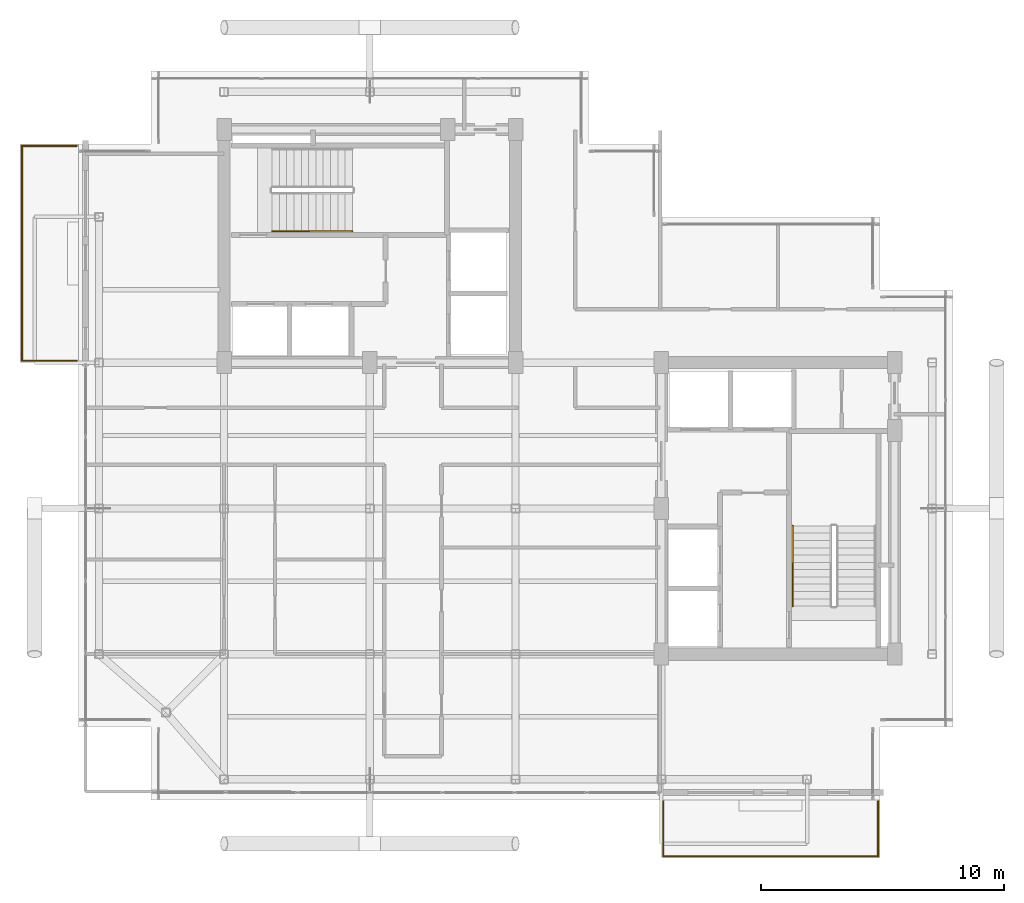
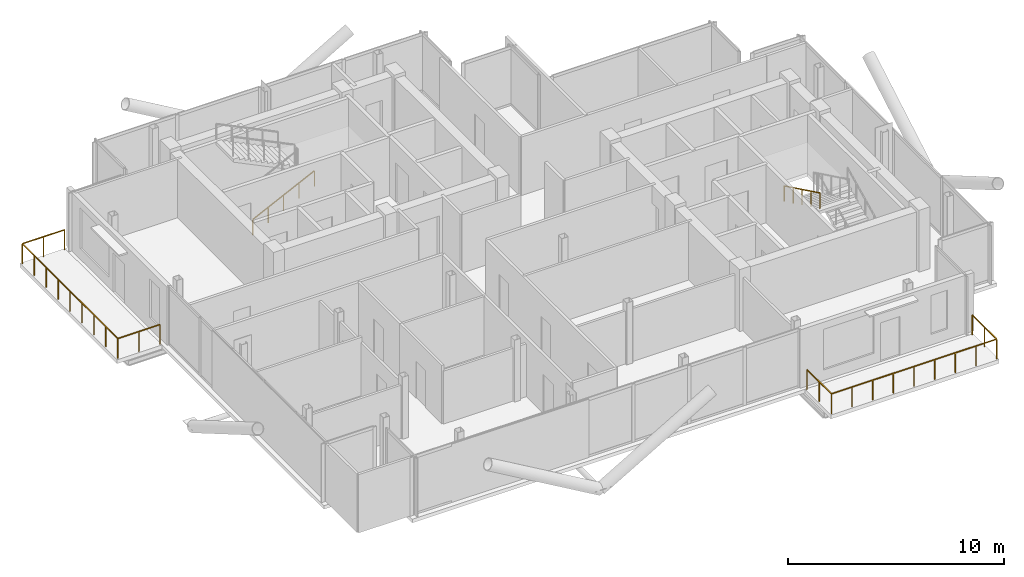
# One storey, part 17 of 18: 4 railings.
"""IFC4 building model written with IfcOpenShell, lengths in metres."""

from ifc_helpers import new_model, si_unit, direction, frame, origin, origin_2d, place, context, subcontext, project, spatial, rectangle, extrude, material, type_object, element, save


model = new_model("IFC4")

# Units and contexts
model_context = context("Model", 3, precision=1e-05, world=origin(), true_north=direction((0.0, 1.0)))
body_context = subcontext(model_context, "Body", "Model", "MODEL_VIEW")
ifc_project = project(units=[si_unit("LENGTHUNIT", "METRE"), si_unit("AREAUNIT", "SQUARE_METRE"), si_unit("VOLUMEUNIT", "CUBIC_METRE"), si_unit("PLANEANGLEUNIT", "RADIAN"), si_unit("MASSUNIT", "GRAM", prefix="KILO"), si_unit("THERMODYNAMICTEMPERATUREUNIT", "KELVIN"), si_unit("POWERUNIT", "WATT")], contexts=[model_context])

# Site, building, storey
site_placement = place(None, origin())
site = spatial("IfcSite", under=ifc_project, at=site_placement, CompositionType="ELEMENT")
building_placement = place(site_placement, origin())
building = spatial("IfcBuilding", under=site, at=building_placement, Name="Svarakhadi Broadcast Tower", CompositionType="ELEMENT")
storey_placement = place(building_placement, frame((0.0, 0.0, 260.699951171875)))
storey = spatial("IfcBuildingStorey", under=building, at=storey_placement, Name="L65", CompositionType="ELEMENT", Elevation=260.699951171875)

# Railings
ifc_material_1 = material(Name="Laminated Structural SentryGlas Balustrade 25.5 mm", Category="glass")
railing_type_1 = type_object("IfcRailingType", Name="Guard_Balcony_GR01", PredefinedType="BALUSTRADE", material=ifc_material_1)
railing_1_placement = place(storey_placement, frame((24.080078125, -0.06005859375, 0.0)))
element("IfcRailing", 1, at=railing_1_placement, inside=storey, type_object=railing_type_1, Name="L65 South Tree Balcony Guard GR-05", PredefinedType="BALUSTRADE", context=body_context, shape_type="SweptSolid", body=[
    extrude(rectangle(XDim=0.048095703125, YDim=0.048095703125, at=origin_2d()), frame((0.0, 0.0, 1.1259765625), z_axis=(0.0, -1.0, 0.0), x_axis=(1.0, 0.0, 0.0)), (0.0, 0.0, 1.0), 2.260009765625),
    extrude(rectangle(XDim=0.048095703125, YDim=0.048095703125, at=origin_2d()), frame((0.0, -2.260009765625, 1.1259765625), z_axis=(1.0, 0.0, 0.0), x_axis=(0.0, 1.0, 0.0)), (0.0, 0.0, 1.0), 8.83984375),
    extrude(rectangle(XDim=0.048095703125, YDim=0.048095703125, at=origin_2d()), frame((8.83984375, -2.260009765625, 1.1259765625), z_axis=(0.0, 1.0, 0.0), x_axis=(-1.0, 0.0, 0.0)), (0.0, 0.0, 1.0), 2.260009765625),
    extrude(rectangle(XDim=0.0419921875, YDim=0.0419921875, at=origin_2d()), origin(), (0.0, 0.0, 1.0), 1.101806640625),
    extrude(rectangle(XDim=0.0419921875, YDim=0.0419921875, at=origin_2d()), frame((0.0, -1.1298828125, 0.0)), (0.0, 0.0, 1.0), 1.101806640625),
    extrude(rectangle(XDim=0.0419921875, YDim=0.0419921875, at=origin_2d()), frame((0.0, -2.260009765625, 0.0)), (0.0, 0.0, 1.0), 1.101806640625),
    extrude(rectangle(XDim=0.0419921875, YDim=0.0419921875, at=origin_2d()), frame((1.10498046875, -2.260009765625, 0.0)), (0.0, 0.0, 1.0), 1.101806640625),
    extrude(rectangle(XDim=0.0419921875, YDim=0.0419921875, at=origin_2d()), frame((2.2099609375, -2.260009765625, 0.0)), (0.0, 0.0, 1.0), 1.101806640625),
    extrude(rectangle(XDim=0.0419921875, YDim=0.0419921875, at=origin_2d()), frame((3.31494140625, -2.260009765625, 0.0)), (0.0, 0.0, 1.0), 1.101806640625),
    extrude(rectangle(XDim=0.0419921875, YDim=0.0419921875, at=origin_2d()), frame((4.419921875, -2.260009765625, 0.0)), (0.0, 0.0, 1.0), 1.101806640625),
    extrude(rectangle(XDim=0.0419921875, YDim=0.0419921875, at=origin_2d()), frame((5.52490234375, -2.260009765625, 0.0)), (0.0, 0.0, 1.0), 1.101806640625),
    extrude(rectangle(XDim=0.0419921875, YDim=0.0419921875, at=origin_2d()), frame((6.6298828125, -2.260009765625, 0.0)), (0.0, 0.0, 1.0), 1.101806640625),
    extrude(rectangle(XDim=0.0419921875, YDim=0.0419921875, at=origin_2d()), frame((7.73486328125, -2.260009765625, 0.0)), (0.0, 0.0, 1.0), 1.101806640625),
    extrude(rectangle(XDim=0.0419921875, YDim=0.0419921875, at=origin_2d()), frame((8.83984375, -2.260009765625, 0.0)), (0.0, 0.0, 1.0), 1.101806640625),
    extrude(rectangle(XDim=0.0419921875, YDim=0.0419921875, at=origin_2d()), frame((8.83984375, -1.1298828125, 0.0)), (0.0, 0.0, 1.0), 1.101806640625),
    extrude(rectangle(XDim=0.0419921875, YDim=0.0419921875, at=origin_2d()), frame((8.83984375, 0.0, 0.0)), (0.0, 0.0, 1.0), 1.101806640625),
])
railing_2_placement = place(storey_placement, frame((-0.06005859375, 18.080078125, 0.0)))
element("IfcRailing", 2, at=railing_2_placement, inside=storey, type_object=railing_type_1, Name="L65 West Tree Balcony Guard GR-05", PredefinedType="BALUSTRADE", context=body_context, shape_type="SweptSolid", body=[
    extrude(rectangle(XDim=0.048095703125, YDim=0.048095703125, at=origin_2d()), frame((0.0, 0.0, 1.1259765625), z_axis=(-1.0, 0.0, 0.0), x_axis=(0.0, -1.0, 0.0)), (0.0, 0.0, 1.0), 2.260009765625),
    extrude(rectangle(XDim=0.048095703125, YDim=0.048095703125, at=origin_2d()), frame((-2.260009765625, 0.0, 1.1259765625), z_axis=(0.0, 1.0, 0.0), x_axis=(-1.0, 0.0, 0.0)), (0.0, 0.0, 1.0), 8.83984375),
    extrude(rectangle(XDim=0.048095703125, YDim=0.048095703125, at=origin_2d()), frame((-2.260009765625, 8.83984375, 1.1259765625), z_axis=(1.0, 0.0, 0.0), x_axis=(0.0, 1.0, 0.0)), (0.0, 0.0, 1.0), 2.260009765625),
    extrude(rectangle(XDim=0.0419921875, YDim=0.0419921875, at=origin_2d()), origin(), (0.0, 0.0, 1.0), 1.101806640625),
    extrude(rectangle(XDim=0.0419921875, YDim=0.0419921875, at=origin_2d()), frame((-1.1298828125, 0.0, 0.0)), (0.0, 0.0, 1.0), 1.101806640625),
    extrude(rectangle(XDim=0.0419921875, YDim=0.0419921875, at=origin_2d()), frame((-2.260009765625, 0.0, 0.0)), (0.0, 0.0, 1.0), 1.101806640625),
    extrude(rectangle(XDim=0.0419921875, YDim=0.0419921875, at=origin_2d()), frame((-2.260009765625, 1.10498046875, 0.0)), (0.0, 0.0, 1.0), 1.101806640625),
    extrude(rectangle(XDim=0.0419921875, YDim=0.0419921875, at=origin_2d()), frame((-2.260009765625, 2.2099609375, 0.0)), (0.0, 0.0, 1.0), 1.101806640625),
    extrude(rectangle(XDim=0.0419921875, YDim=0.0419921875, at=origin_2d()), frame((-2.260009765625, 3.31494140625, 0.0)), (0.0, 0.0, 1.0), 1.101806640625),
    extrude(rectangle(XDim=0.0419921875, YDim=0.0419921875, at=origin_2d()), frame((-2.260009765625, 4.419921875, 0.0)), (0.0, 0.0, 1.0), 1.101806640625),
    extrude(rectangle(XDim=0.0419921875, YDim=0.0419921875, at=origin_2d()), frame((-2.260009765625, 5.52490234375, 0.0)), (0.0, 0.0, 1.0), 1.101806640625),
    extrude(rectangle(XDim=0.0419921875, YDim=0.0419921875, at=origin_2d()), frame((-2.260009765625, 6.6298828125, 0.0)), (0.0, 0.0, 1.0), 1.101806640625),
    extrude(rectangle(XDim=0.0419921875, YDim=0.0419921875, at=origin_2d()), frame((-2.260009765625, 7.73486328125, 0.0)), (0.0, 0.0, 1.0), 1.101806640625),
    extrude(rectangle(XDim=0.0419921875, YDim=0.0419921875, at=origin_2d()), frame((-2.260009765625, 8.83984375, 0.0)), (0.0, 0.0, 1.0), 1.101806640625),
    extrude(rectangle(XDim=0.0419921875, YDim=0.0419921875, at=origin_2d()), frame((-1.1298828125, 8.83984375, 0.0)), (0.0, 0.0, 1.0), 1.101806640625),
    extrude(rectangle(XDim=0.0419921875, YDim=0.0419921875, at=origin_2d()), frame((0.0, 8.83984375, 0.0)), (0.0, 0.0, 1.0), 1.101806640625),
])
ifc_material_2 = material(Name="Anodised Bronze Aluminium AA 6063-T6", Category="aluminium")
railing_type_2 = type_object("IfcRailingType", Name="Handrail_Stair_HR01", PredefinedType="HANDRAIL", material=ifc_material_2)
railing_3_placement = place(storey_placement, frame((7.97998046875, 23.409912109375, 0.14599609375)))
element("IfcRailing", 3, at=railing_3_placement, inside=storey, type_object=railing_type_2, Name="L65 ST-01 stair handrail 1", PredefinedType="HANDRAIL", context=body_context, shape_type="SweptSolid", body=[
    extrude(rectangle(XDim=0.048095703125, YDim=0.048095703125, at=origin_2d()), frame((0.0, 0.0, 0.8759765625), z_axis=(0.899387838337, 0.0, 0.437151594131), x_axis=(0.0, 1.0, 0.0)), (0.0, 0.0, 1.0), 3.669189453125),
    extrude(rectangle(XDim=0.0419921875, YDim=0.0419921875, at=origin_2d()), origin(), (0.0, 0.0, 1.0), 0.851806640625),
    extrude(rectangle(XDim=0.0419921875, YDim=0.0419921875, at=origin_2d()), frame((0.824951171875, 0.0, 0.40087890625)), (0.0, 0.0, 1.0), 0.851806640625),
    extrude(rectangle(XDim=0.0419921875, YDim=0.0419921875, at=origin_2d()), frame((1.64990234375, 0.0, 0.802001953125)), (0.0, 0.0, 1.0), 0.851806640625),
    extrude(rectangle(XDim=0.0419921875, YDim=0.0419921875, at=origin_2d()), frame((2.47509765625, 0.0, 1.203125)), (0.0, 0.0, 1.0), 0.851806640625),
    extrude(rectangle(XDim=0.0419921875, YDim=0.0419921875, at=origin_2d()), frame((3.300048828125, 0.0, 1.60400390625)), (0.0, 0.0, 1.0), 0.851806640625),
])
railing_4_placement = place(storey_placement, frame((29.409912109375, 11.280029296875, 1.89599609375)))
element("IfcRailing", 4, at=railing_4_placement, inside=storey, type_object=railing_type_2, Name="L65 ST-02 stair handrail 2", PredefinedType="HANDRAIL", context=body_context, shape_type="SweptSolid", body=[
    extrude(rectangle(XDim=0.048095703125, YDim=0.048095703125, at=origin_2d()), frame((0.0, 0.0, 0.8759765625), z_axis=(0.0, -0.899387838337, 0.437151594131), x_axis=(1.0, 0.0, 0.0)), (0.0, 0.0, 1.0), 3.669189453125),
    extrude(rectangle(XDim=0.0419921875, YDim=0.0419921875, at=origin_2d()), origin(), (0.0, 0.0, 1.0), 0.851806640625),
    extrude(rectangle(XDim=0.0419921875, YDim=0.0419921875, at=origin_2d()), frame((0.0, -0.824951171875, 0.40087890625)), (0.0, 0.0, 1.0), 0.851806640625),
    extrude(rectangle(XDim=0.0419921875, YDim=0.0419921875, at=origin_2d()), frame((0.0, -1.64990234375, 0.802001953125)), (0.0, 0.0, 1.0), 0.851806640625),
    extrude(rectangle(XDim=0.0419921875, YDim=0.0419921875, at=origin_2d()), frame((0.0, -2.47509765625, 1.203125)), (0.0, 0.0, 1.0), 0.851806640625),
    extrude(rectangle(XDim=0.0419921875, YDim=0.0419921875, at=origin_2d()), frame((0.0, -3.300048828125, 1.60400390625)), (0.0, 0.0, 1.0), 0.851806640625),
])

save(model, "model.ifc")
